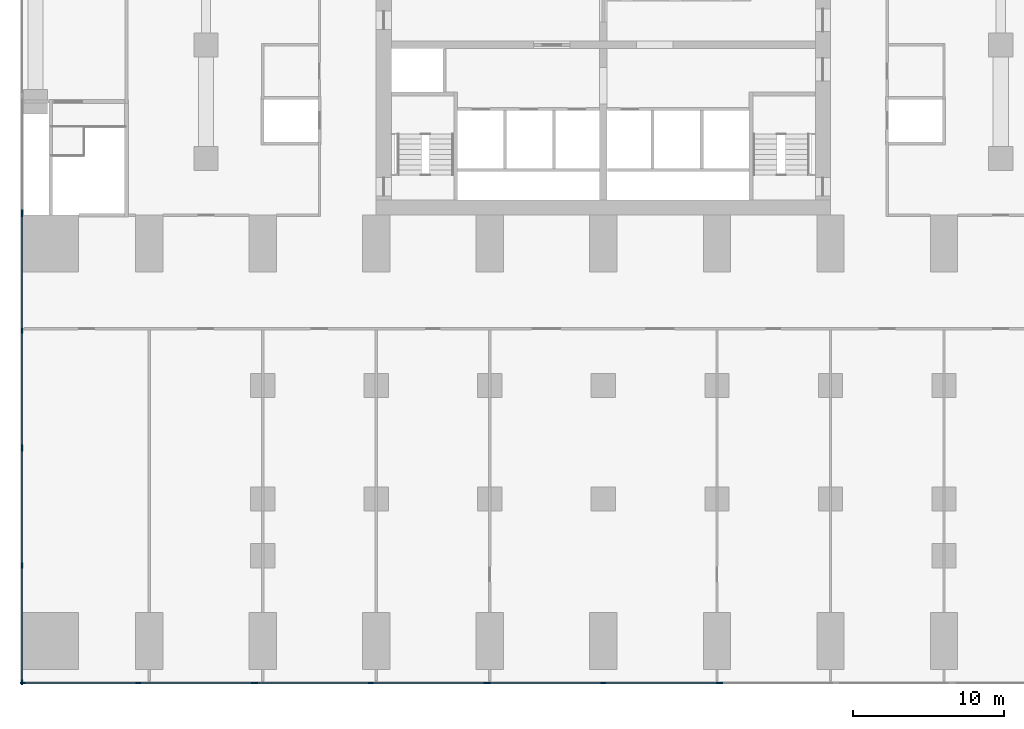
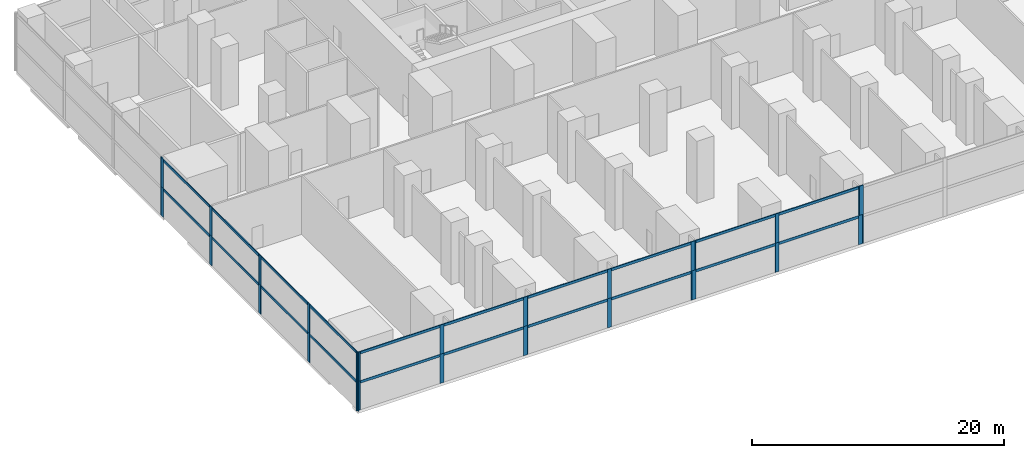
# One storey, part 2 of 14: 54 members, 14 elements without a shape of their own.
"""IFC4 building model written with IfcOpenShell, lengths in metres."""

from ifc_helpers import new_model, si_unit, direction, frame, origin, origin_2d, place, context, subcontext, project, spatial, rectangle, extrude, material, material_profile, profile_set, type_object, element, aggregate, save


model = new_model("IFC4")

# Units and contexts
model_context = context("Model", 3, precision=1e-05, world=origin(), true_north=direction((0.0, 1.0)))
body_context = subcontext(model_context, "Body", "Model", "MODEL_VIEW")
ifc_project = project(units=[si_unit("LENGTHUNIT", "METRE"), si_unit("AREAUNIT", "SQUARE_METRE"), si_unit("VOLUMEUNIT", "CUBIC_METRE"), si_unit("PLANEANGLEUNIT", "RADIAN"), si_unit("MASSUNIT", "GRAM", prefix="KILO")], contexts=[model_context])

# Site, building, storey
site_placement = place(None, origin())
site = spatial("IfcSite", under=ifc_project, at=site_placement, CompositionType="ELEMENT")
building_placement = place(site_placement, origin())
building = spatial("IfcBuilding", under=site, at=building_placement, Name="Pilkhan Gate Tower", CompositionType="ELEMENT")
storey_placement = place(building_placement, frame((0.0, 0.0, 24.0)))
storey = spatial("IfcBuildingStorey", under=building, at=storey_placement, Name="L03", CompositionType="ELEMENT", Elevation=24.0)

# Curtain wall, members
ifc_material_1 = material(Name="Pale anodised aluminium, clear low-iron laminated glazing", Category="aluminium")
curtain_wall_type = type_object("IfcCurtainWallType", Name="Podium unitised curtain wall CW-P", PredefinedType="USERDEFINED", material=ifc_material_1)
curtain_wall_1_placement = place(storey_placement, origin())
curtain_wall_1 = element("IfcCurtainWall", 1, at=curtain_wall_1_placement, inside=storey, type_object=curtain_wall_type, Name="Podium unitised curtain wall CW-P L03 W", ObjectType="UNITISED CURTAIN WALL", PredefinedType="USERDEFINED")
ifc_material_2 = material(Name="Pale anodised aluminium", Category="aluminium")
ifc_material_profile_1 = material_profile(ifc_material_2, rectangle(XDim=0.080078125, YDim=0.35009765625, at=origin_2d()), Name="Mullion 350x80")
ifc_profile_set_1 = profile_set([ifc_material_profile_1], Name="Pale anodised aluminium")
member_type_1 = type_object("IfcMemberType", Name="Mullion CW-P 350x80", PredefinedType="MULLION", material=ifc_profile_set_1)
member_1_placement = place(storey_placement, frame((36.60498046875, 40.39501953125, 0.0), z_axis=(0.0, 0.0, 1.0), x_axis=(-1.0, 0.0, 0.0)))
member_1 = element("IfcMember", 2, at=member_1_placement, type_object=member_type_1, Name="CW-P mullion 1", PredefinedType="MULLION", context=body_context, shape_type="SweptSolid", body=[
    extrude(rectangle(XDim=0.080078125, YDim=0.35009765625, at=origin_2d()), origin(), (0.0, 0.0, 1.0), 2.824951171875),
])
member_2_placement = place(storey_placement, frame((36.60498046875, 48.110595703125, 0.0), z_axis=(0.0, 0.0, 1.0), x_axis=(-1.0, 0.0, 0.0)))
member_2 = element("IfcMember", 3, at=member_2_placement, type_object=member_type_1, Name="CW-P mullion 2", PredefinedType="MULLION", context=body_context, shape_type="SweptSolid", body=[
    extrude(rectangle(XDim=0.080078125, YDim=0.35009765625, at=origin_2d()), origin(), (0.0, 0.0, 1.0), 2.824951171875),
])
member_3_placement = place(storey_placement, frame((36.60498046875, 55.826416015625, 0.0), z_axis=(0.0, 0.0, 1.0), x_axis=(-1.0, 0.0, 0.0)))
member_3 = element("IfcMember", 4, at=member_3_placement, type_object=member_type_1, Name="CW-P mullion 3", PredefinedType="MULLION", context=body_context, shape_type="SweptSolid", body=[
    extrude(rectangle(XDim=0.080078125, YDim=0.35009765625, at=origin_2d()), origin(), (0.0, 0.0, 1.0), 2.824951171875),
])

curtain_wall_2_placement = place(storey_placement, origin())
curtain_wall_2 = element("IfcCurtainWall", 5, at=curtain_wall_2_placement, inside=storey, type_object=curtain_wall_type, Name="Podium unitised curtain wall CW-P L03 W", ObjectType="UNITISED CURTAIN WALL", PredefinedType="USERDEFINED")
member_4_placement = place(storey_placement, frame((36.60498046875, 55.906494140625, 0.0), z_axis=(0.0, 0.0, 1.0), x_axis=(-1.0, 0.0, 0.0)))
member_4 = element("IfcMember", 6, at=member_4_placement, type_object=member_type_1, Name="CW-P mullion 1", PredefinedType="MULLION", context=body_context, shape_type="SweptSolid", body=[
    extrude(rectangle(XDim=0.080078125, YDim=0.35009765625, at=origin_2d()), origin(), (0.0, 0.0, 1.0), 2.824951171875),
])
member_5_placement = place(storey_placement, frame((36.60498046875, 63.6220703125, 0.0), z_axis=(0.0, 0.0, 1.0), x_axis=(-1.0, 0.0, 0.0)))
member_5 = element("IfcMember", 7, at=member_5_placement, type_object=member_type_1, Name="CW-P mullion 2", PredefinedType="MULLION", context=body_context, shape_type="SweptSolid", body=[
    extrude(rectangle(XDim=0.080078125, YDim=0.35009765625, at=origin_2d()), origin(), (0.0, 0.0, 1.0), 2.824951171875),
])
member_6_placement = place(storey_placement, frame((36.60498046875, 71.337890625, 0.0), z_axis=(0.0, 0.0, 1.0), x_axis=(-1.0, 0.0, 0.0)))
member_6 = element("IfcMember", 8, at=member_6_placement, type_object=member_type_1, Name="CW-P mullion 3", PredefinedType="MULLION", context=body_context, shape_type="SweptSolid", body=[
    extrude(rectangle(XDim=0.080078125, YDim=0.35009765625, at=origin_2d()), origin(), (0.0, 0.0, 1.0), 2.824951171875),
])

# Curtain wall, member
curtain_wall_3_placement = place(storey_placement, origin())
curtain_wall_3 = element("IfcCurtainWall", 9, at=curtain_wall_3_placement, inside=storey, type_object=curtain_wall_type, Name="Podium unitised curtain wall CW-P L03 W", ObjectType="UNITISED CURTAIN WALL", PredefinedType="USERDEFINED")
member_7_placement = place(storey_placement, frame((36.60498046875, 71.41796875, 0.0), z_axis=(0.0, 0.0, 1.0), x_axis=(-1.0, 0.0, 0.0)))
member_7 = element("IfcMember", 10, at=member_7_placement, type_object=member_type_1, Name="CW-P mullion 1", PredefinedType="MULLION", context=body_context, shape_type="SweptSolid", body=[
    extrude(rectangle(XDim=0.080078125, YDim=0.35009765625, at=origin_2d()), origin(), (0.0, 0.0, 1.0), 2.824951171875),
])
aggregate(curtain_wall_3, [member_7])

# Curtain wall, members
curtain_wall_4_placement = place(storey_placement, origin())
curtain_wall_4 = element("IfcCurtainWall", 11, at=curtain_wall_4_placement, inside=storey, type_object=curtain_wall_type, Name="Podium unitised curtain wall CW-P L03 W", ObjectType="UNITISED CURTAIN WALL", PredefinedType="USERDEFINED")
member_8_placement = place(storey_placement, frame((36.60498046875, 40.39501953125, 2.824951171875), z_axis=(0.0, 0.0, 1.0), x_axis=(-1.0, 0.0, 0.0)))
member_8 = element("IfcMember", 12, at=member_8_placement, type_object=member_type_1, Name="CW-P mullion 1", PredefinedType="MULLION", context=body_context, shape_type="SweptSolid", body=[
    extrude(rectangle(XDim=0.080078125, YDim=0.35009765625, at=origin_2d()), origin(), (0.0, 0.0, 1.0), 2.824951171875),
])
member_9_placement = place(storey_placement, frame((36.60498046875, 48.110595703125, 2.824951171875), z_axis=(0.0, 0.0, 1.0), x_axis=(-1.0, 0.0, 0.0)))
member_9 = element("IfcMember", 13, at=member_9_placement, type_object=member_type_1, Name="CW-P mullion 2", PredefinedType="MULLION", context=body_context, shape_type="SweptSolid", body=[
    extrude(rectangle(XDim=0.080078125, YDim=0.35009765625, at=origin_2d()), origin(), (0.0, 0.0, 1.0), 2.824951171875),
])
member_10_placement = place(storey_placement, frame((36.60498046875, 55.826416015625, 2.824951171875), z_axis=(0.0, 0.0, 1.0), x_axis=(-1.0, 0.0, 0.0)))
member_10 = element("IfcMember", 14, at=member_10_placement, type_object=member_type_1, Name="CW-P mullion 3", PredefinedType="MULLION", context=body_context, shape_type="SweptSolid", body=[
    extrude(rectangle(XDim=0.080078125, YDim=0.35009765625, at=origin_2d()), origin(), (0.0, 0.0, 1.0), 2.824951171875),
])

curtain_wall_5_placement = place(storey_placement, origin())
curtain_wall_5 = element("IfcCurtainWall", 15, at=curtain_wall_5_placement, inside=storey, type_object=curtain_wall_type, Name="Podium unitised curtain wall CW-P L03 W", ObjectType="UNITISED CURTAIN WALL", PredefinedType="USERDEFINED")
member_11_placement = place(storey_placement, frame((36.60498046875, 55.906494140625, 2.824951171875), z_axis=(0.0, 0.0, 1.0), x_axis=(-1.0, 0.0, 0.0)))
member_11 = element("IfcMember", 16, at=member_11_placement, type_object=member_type_1, Name="CW-P mullion 1", PredefinedType="MULLION", context=body_context, shape_type="SweptSolid", body=[
    extrude(rectangle(XDim=0.080078125, YDim=0.35009765625, at=origin_2d()), origin(), (0.0, 0.0, 1.0), 2.824951171875),
])
member_12_placement = place(storey_placement, frame((36.60498046875, 63.6220703125, 2.824951171875), z_axis=(0.0, 0.0, 1.0), x_axis=(-1.0, 0.0, 0.0)))
member_12 = element("IfcMember", 17, at=member_12_placement, type_object=member_type_1, Name="CW-P mullion 2", PredefinedType="MULLION", context=body_context, shape_type="SweptSolid", body=[
    extrude(rectangle(XDim=0.080078125, YDim=0.35009765625, at=origin_2d()), origin(), (0.0, 0.0, 1.0), 2.824951171875),
])
member_13_placement = place(storey_placement, frame((36.60498046875, 71.337890625, 2.824951171875), z_axis=(0.0, 0.0, 1.0), x_axis=(-1.0, 0.0, 0.0)))
member_13 = element("IfcMember", 18, at=member_13_placement, type_object=member_type_1, Name="CW-P mullion 3", PredefinedType="MULLION", context=body_context, shape_type="SweptSolid", body=[
    extrude(rectangle(XDim=0.080078125, YDim=0.35009765625, at=origin_2d()), origin(), (0.0, 0.0, 1.0), 2.824951171875),
])

# Curtain wall, member
curtain_wall_6_placement = place(storey_placement, origin())
curtain_wall_6 = element("IfcCurtainWall", 19, at=curtain_wall_6_placement, inside=storey, type_object=curtain_wall_type, Name="Podium unitised curtain wall CW-P L03 W", ObjectType="UNITISED CURTAIN WALL", PredefinedType="USERDEFINED")
member_14_placement = place(storey_placement, frame((36.60498046875, 71.41796875, 2.824951171875), z_axis=(0.0, 0.0, 1.0), x_axis=(-1.0, 0.0, 0.0)))
member_14 = element("IfcMember", 20, at=member_14_placement, type_object=member_type_1, Name="CW-P mullion 1", PredefinedType="MULLION", context=body_context, shape_type="SweptSolid", body=[
    extrude(rectangle(XDim=0.080078125, YDim=0.35009765625, at=origin_2d()), origin(), (0.0, 0.0, 1.0), 2.824951171875),
])
aggregate(curtain_wall_6, [member_14])

# Curtain wall, members
curtain_wall_7_placement = place(storey_placement, origin())
curtain_wall_7 = element("IfcCurtainWall", 21, at=curtain_wall_7_placement, inside=storey, type_object=curtain_wall_type, Name="Podium unitised curtain wall CW-P L03 S", ObjectType="UNITISED CURTAIN WALL", PredefinedType="USERDEFINED")
member_15_placement = place(storey_placement, frame((36.64501953125, 40.35498046875, 0.0), z_axis=(0.0, 0.0, 1.0), x_axis=(0.0, 1.0, 0.0)))
member_15 = element("IfcMember", 22, at=member_15_placement, type_object=member_type_1, Name="CW-P mullion 1", PredefinedType="MULLION", context=body_context, shape_type="SweptSolid", body=[
    extrude(rectangle(XDim=0.080078125, YDim=0.35009765625, at=origin_2d()), origin(), (0.0, 0.0, 1.0), 2.824951171875),
])
member_16_placement = place(storey_placement, frame((44.283935546875, 40.35498046875, 0.0), z_axis=(0.0, 0.0, 1.0), x_axis=(0.0, 1.0, 0.0)))
member_16 = element("IfcMember", 23, at=member_16_placement, type_object=member_type_1, Name="CW-P mullion 2", PredefinedType="MULLION", context=body_context, shape_type="SweptSolid", body=[
    extrude(rectangle(XDim=0.080078125, YDim=0.35009765625, at=origin_2d()), origin(), (0.0, 0.0, 1.0), 2.824951171875),
])
member_17_placement = place(storey_placement, frame((51.923095703125, 40.35498046875, 0.0), z_axis=(0.0, 0.0, 1.0), x_axis=(0.0, 1.0, 0.0)))
member_17 = element("IfcMember", 24, at=member_17_placement, type_object=member_type_1, Name="CW-P mullion 3", PredefinedType="MULLION", context=body_context, shape_type="SweptSolid", body=[
    extrude(rectangle(XDim=0.080078125, YDim=0.35009765625, at=origin_2d()), origin(), (0.0, 0.0, 1.0), 2.824951171875),
])

curtain_wall_8_placement = place(storey_placement, origin())
curtain_wall_8 = element("IfcCurtainWall", 25, at=curtain_wall_8_placement, inside=storey, type_object=curtain_wall_type, Name="Podium unitised curtain wall CW-P L03 S", ObjectType="UNITISED CURTAIN WALL", PredefinedType="USERDEFINED")
member_18_placement = place(storey_placement, frame((52.0029296875, 40.35498046875, 0.0), z_axis=(0.0, 0.0, 1.0), x_axis=(0.0, 1.0, 0.0)))
member_18 = element("IfcMember", 26, at=member_18_placement, type_object=member_type_1, Name="CW-P mullion 1", PredefinedType="MULLION", context=body_context, shape_type="SweptSolid", body=[
    extrude(rectangle(XDim=0.080078125, YDim=0.35009765625, at=origin_2d()), origin(), (0.0, 0.0, 1.0), 2.824951171875),
])
member_19_placement = place(storey_placement, frame((59.64208984375, 40.35498046875, 0.0), z_axis=(0.0, 0.0, 1.0), x_axis=(0.0, 1.0, 0.0)))
member_19 = element("IfcMember", 27, at=member_19_placement, type_object=member_type_1, Name="CW-P mullion 2", PredefinedType="MULLION", context=body_context, shape_type="SweptSolid", body=[
    extrude(rectangle(XDim=0.080078125, YDim=0.35009765625, at=origin_2d()), origin(), (0.0, 0.0, 1.0), 2.824951171875),
])
member_20_placement = place(storey_placement, frame((67.281005859375, 40.35498046875, 0.0), z_axis=(0.0, 0.0, 1.0), x_axis=(0.0, 1.0, 0.0)))
member_20 = element("IfcMember", 28, at=member_20_placement, type_object=member_type_1, Name="CW-P mullion 3", PredefinedType="MULLION", context=body_context, shape_type="SweptSolid", body=[
    extrude(rectangle(XDim=0.080078125, YDim=0.35009765625, at=origin_2d()), origin(), (0.0, 0.0, 1.0), 2.824951171875),
])

curtain_wall_9_placement = place(storey_placement, origin())
curtain_wall_9 = element("IfcCurtainWall", 29, at=curtain_wall_9_placement, inside=storey, type_object=curtain_wall_type, Name="Podium unitised curtain wall CW-P L03 S", ObjectType="UNITISED CURTAIN WALL", PredefinedType="USERDEFINED")
member_21_placement = place(storey_placement, frame((67.361083984375, 40.35498046875, 0.0), z_axis=(0.0, 0.0, 1.0), x_axis=(0.0, 1.0, 0.0)))
member_21 = element("IfcMember", 30, at=member_21_placement, type_object=member_type_1, Name="CW-P mullion 1", PredefinedType="MULLION", context=body_context, shape_type="SweptSolid", body=[
    extrude(rectangle(XDim=0.080078125, YDim=0.35009765625, at=origin_2d()), origin(), (0.0, 0.0, 1.0), 2.824951171875),
])
member_22_placement = place(storey_placement, frame((75.0, 40.35498046875, 0.0), z_axis=(0.0, 0.0, 1.0), x_axis=(0.0, 1.0, 0.0)))
member_22 = element("IfcMember", 31, at=member_22_placement, type_object=member_type_1, Name="CW-P mullion 2", PredefinedType="MULLION", context=body_context, shape_type="SweptSolid", body=[
    extrude(rectangle(XDim=0.080078125, YDim=0.35009765625, at=origin_2d()), origin(), (0.0, 0.0, 1.0), 2.824951171875),
])
member_23_placement = place(storey_placement, frame((82.638916015625, 40.35498046875, 0.0), z_axis=(0.0, 0.0, 1.0), x_axis=(0.0, 1.0, 0.0)))
member_23 = element("IfcMember", 32, at=member_23_placement, type_object=member_type_1, Name="CW-P mullion 3", PredefinedType="MULLION", context=body_context, shape_type="SweptSolid", body=[
    extrude(rectangle(XDim=0.080078125, YDim=0.35009765625, at=origin_2d()), origin(), (0.0, 0.0, 1.0), 2.824951171875),
])

# Curtain wall, member
curtain_wall_10_placement = place(storey_placement, origin())
curtain_wall_10 = element("IfcCurtainWall", 33, at=curtain_wall_10_placement, inside=storey, type_object=curtain_wall_type, Name="Podium unitised curtain wall CW-P L03 S", ObjectType="UNITISED CURTAIN WALL", PredefinedType="USERDEFINED")
member_24_placement = place(storey_placement, frame((82.718994140625, 40.35498046875, 0.0), z_axis=(0.0, 0.0, 1.0), x_axis=(0.0, 1.0, 0.0)))
member_24 = element("IfcMember", 34, at=member_24_placement, type_object=member_type_1, Name="CW-P mullion 1", PredefinedType="MULLION", context=body_context, shape_type="SweptSolid", body=[
    extrude(rectangle(XDim=0.080078125, YDim=0.35009765625, at=origin_2d()), origin(), (0.0, 0.0, 1.0), 2.824951171875),
])
aggregate(curtain_wall_10, [member_24])

# Curtain wall, members
curtain_wall_11_placement = place(storey_placement, origin())
curtain_wall_11 = element("IfcCurtainWall", 35, at=curtain_wall_11_placement, inside=storey, type_object=curtain_wall_type, Name="Podium unitised curtain wall CW-P L03 S", ObjectType="UNITISED CURTAIN WALL", PredefinedType="USERDEFINED")
member_25_placement = place(storey_placement, frame((36.64501953125, 40.35498046875, 2.824951171875), z_axis=(0.0, 0.0, 1.0), x_axis=(0.0, 1.0, 0.0)))
member_25 = element("IfcMember", 36, at=member_25_placement, type_object=member_type_1, Name="CW-P mullion 1", PredefinedType="MULLION", context=body_context, shape_type="SweptSolid", body=[
    extrude(rectangle(XDim=0.080078125, YDim=0.35009765625, at=origin_2d()), origin(), (0.0, 0.0, 1.0), 2.824951171875),
])
member_26_placement = place(storey_placement, frame((44.283935546875, 40.35498046875, 2.824951171875), z_axis=(0.0, 0.0, 1.0), x_axis=(0.0, 1.0, 0.0)))
member_26 = element("IfcMember", 37, at=member_26_placement, type_object=member_type_1, Name="CW-P mullion 2", PredefinedType="MULLION", context=body_context, shape_type="SweptSolid", body=[
    extrude(rectangle(XDim=0.080078125, YDim=0.35009765625, at=origin_2d()), origin(), (0.0, 0.0, 1.0), 2.824951171875),
])
member_27_placement = place(storey_placement, frame((51.923095703125, 40.35498046875, 2.824951171875), z_axis=(0.0, 0.0, 1.0), x_axis=(0.0, 1.0, 0.0)))
member_27 = element("IfcMember", 38, at=member_27_placement, type_object=member_type_1, Name="CW-P mullion 3", PredefinedType="MULLION", context=body_context, shape_type="SweptSolid", body=[
    extrude(rectangle(XDim=0.080078125, YDim=0.35009765625, at=origin_2d()), origin(), (0.0, 0.0, 1.0), 2.824951171875),
])

curtain_wall_12_placement = place(storey_placement, origin())
curtain_wall_12 = element("IfcCurtainWall", 39, at=curtain_wall_12_placement, inside=storey, type_object=curtain_wall_type, Name="Podium unitised curtain wall CW-P L03 S", ObjectType="UNITISED CURTAIN WALL", PredefinedType="USERDEFINED")
member_28_placement = place(storey_placement, frame((52.0029296875, 40.35498046875, 2.824951171875), z_axis=(0.0, 0.0, 1.0), x_axis=(0.0, 1.0, 0.0)))
member_28 = element("IfcMember", 40, at=member_28_placement, type_object=member_type_1, Name="CW-P mullion 1", PredefinedType="MULLION", context=body_context, shape_type="SweptSolid", body=[
    extrude(rectangle(XDim=0.080078125, YDim=0.35009765625, at=origin_2d()), origin(), (0.0, 0.0, 1.0), 2.824951171875),
])
member_29_placement = place(storey_placement, frame((59.64208984375, 40.35498046875, 2.824951171875), z_axis=(0.0, 0.0, 1.0), x_axis=(0.0, 1.0, 0.0)))
member_29 = element("IfcMember", 41, at=member_29_placement, type_object=member_type_1, Name="CW-P mullion 2", PredefinedType="MULLION", context=body_context, shape_type="SweptSolid", body=[
    extrude(rectangle(XDim=0.080078125, YDim=0.35009765625, at=origin_2d()), origin(), (0.0, 0.0, 1.0), 2.824951171875),
])
member_30_placement = place(storey_placement, frame((67.281005859375, 40.35498046875, 2.824951171875), z_axis=(0.0, 0.0, 1.0), x_axis=(0.0, 1.0, 0.0)))
member_30 = element("IfcMember", 42, at=member_30_placement, type_object=member_type_1, Name="CW-P mullion 3", PredefinedType="MULLION", context=body_context, shape_type="SweptSolid", body=[
    extrude(rectangle(XDim=0.080078125, YDim=0.35009765625, at=origin_2d()), origin(), (0.0, 0.0, 1.0), 2.824951171875),
])

curtain_wall_13_placement = place(storey_placement, origin())
curtain_wall_13 = element("IfcCurtainWall", 43, at=curtain_wall_13_placement, inside=storey, type_object=curtain_wall_type, Name="Podium unitised curtain wall CW-P L03 S", ObjectType="UNITISED CURTAIN WALL", PredefinedType="USERDEFINED")
member_31_placement = place(storey_placement, frame((67.361083984375, 40.35498046875, 2.824951171875), z_axis=(0.0, 0.0, 1.0), x_axis=(0.0, 1.0, 0.0)))
member_31 = element("IfcMember", 44, at=member_31_placement, type_object=member_type_1, Name="CW-P mullion 1", PredefinedType="MULLION", context=body_context, shape_type="SweptSolid", body=[
    extrude(rectangle(XDim=0.080078125, YDim=0.35009765625, at=origin_2d()), origin(), (0.0, 0.0, 1.0), 2.824951171875),
])
member_32_placement = place(storey_placement, frame((75.0, 40.35498046875, 2.824951171875), z_axis=(0.0, 0.0, 1.0), x_axis=(0.0, 1.0, 0.0)))
member_32 = element("IfcMember", 45, at=member_32_placement, type_object=member_type_1, Name="CW-P mullion 2", PredefinedType="MULLION", context=body_context, shape_type="SweptSolid", body=[
    extrude(rectangle(XDim=0.080078125, YDim=0.35009765625, at=origin_2d()), origin(), (0.0, 0.0, 1.0), 2.824951171875),
])
member_33_placement = place(storey_placement, frame((82.638916015625, 40.35498046875, 2.824951171875), z_axis=(0.0, 0.0, 1.0), x_axis=(0.0, 1.0, 0.0)))
member_33 = element("IfcMember", 46, at=member_33_placement, type_object=member_type_1, Name="CW-P mullion 3", PredefinedType="MULLION", context=body_context, shape_type="SweptSolid", body=[
    extrude(rectangle(XDim=0.080078125, YDim=0.35009765625, at=origin_2d()), origin(), (0.0, 0.0, 1.0), 2.824951171875),
])

# Curtain wall, member
curtain_wall_14_placement = place(storey_placement, origin())
curtain_wall_14 = element("IfcCurtainWall", 47, at=curtain_wall_14_placement, inside=storey, type_object=curtain_wall_type, Name="Podium unitised curtain wall CW-P L03 S", ObjectType="UNITISED CURTAIN WALL", PredefinedType="USERDEFINED")
member_34_placement = place(storey_placement, frame((82.718994140625, 40.35498046875, 2.824951171875), z_axis=(0.0, 0.0, 1.0), x_axis=(0.0, 1.0, 0.0)))
member_34 = element("IfcMember", 48, at=member_34_placement, type_object=member_type_1, Name="CW-P mullion 1", PredefinedType="MULLION", context=body_context, shape_type="SweptSolid", body=[
    extrude(rectangle(XDim=0.080078125, YDim=0.35009765625, at=origin_2d()), origin(), (0.0, 0.0, 1.0), 2.824951171875),
])
aggregate(curtain_wall_14, [member_34])

# Member
ifc_material_profile_2 = material_profile(ifc_material_2, rectangle(XDim=0.080078125, YDim=0.25, at=origin_2d()), Name="Transom 250x80")
ifc_profile_set_2 = profile_set([ifc_material_profile_2], Name="Pale anodised aluminium")
member_type_2 = type_object("IfcMemberType", Name="Transom CW-P 250x80", PredefinedType="USERDEFINED", material=ifc_profile_set_2)
member_35_placement = place(storey_placement, frame((36.60498046875, 40.43505859375, 2.699951171875), z_axis=(0.0, 1.0, 0.0), x_axis=(-1.0, 0.0, 0.0)))
member_35 = element("IfcMember", 49, at=member_35_placement, type_object=member_type_2, Name="CW-P transom 1", ObjectType="TRANSOM", PredefinedType="USERDEFINED", context=body_context, shape_type="SweptSolid", body=[
    extrude(rectangle(XDim=0.080078125, YDim=0.25, at=origin_2d()), origin(), (0.0, 0.0, 1.0), 7.6357421875),
])

member_36_placement = place(storey_placement, frame((36.60498046875, 48.150634765625, 2.699951171875), z_axis=(0.0, 1.0, 0.0), x_axis=(-1.0, 0.0, 0.0)))
member_36 = element("IfcMember", 50, at=member_36_placement, type_object=member_type_2, Name="CW-P transom 2", ObjectType="TRANSOM", PredefinedType="USERDEFINED", context=body_context, shape_type="SweptSolid", body=[
    extrude(rectangle(XDim=0.080078125, YDim=0.25, at=origin_2d()), origin(), (0.0, 0.0, 1.0), 7.6357421875),
])

aggregate(curtain_wall_1, [member_1, member_2, member_3, member_35, member_36])

member_37_placement = place(storey_placement, frame((36.60498046875, 55.946533203125, 2.699951171875), z_axis=(0.0, 1.0, 0.0), x_axis=(-1.0, 0.0, 0.0)))
member_37 = element("IfcMember", 51, at=member_37_placement, type_object=member_type_2, Name="CW-P transom 1", ObjectType="TRANSOM", PredefinedType="USERDEFINED", context=body_context, shape_type="SweptSolid", body=[
    extrude(rectangle(XDim=0.080078125, YDim=0.25, at=origin_2d()), origin(), (0.0, 0.0, 1.0), 7.635498046875),
])

member_38_placement = place(storey_placement, frame((36.60498046875, 63.662109375, 2.699951171875), z_axis=(0.0, 1.0, 0.0), x_axis=(-1.0, 0.0, 0.0)))
member_38 = element("IfcMember", 52, at=member_38_placement, type_object=member_type_2, Name="CW-P transom 2", ObjectType="TRANSOM", PredefinedType="USERDEFINED", context=body_context, shape_type="SweptSolid", body=[
    extrude(rectangle(XDim=0.080078125, YDim=0.25, at=origin_2d()), origin(), (0.0, 0.0, 1.0), 7.6357421875),
])

aggregate(curtain_wall_2, [member_4, member_5, member_6, member_37, member_38])

member_39_placement = place(storey_placement, frame((36.60498046875, 40.43505859375, 5.52490234375), z_axis=(0.0, 1.0, 0.0), x_axis=(-1.0, 0.0, 0.0)))
member_39 = element("IfcMember", 53, at=member_39_placement, type_object=member_type_2, Name="CW-P transom 1", ObjectType="TRANSOM", PredefinedType="USERDEFINED", context=body_context, shape_type="SweptSolid", body=[
    extrude(rectangle(XDim=0.080078125, YDim=0.25, at=origin_2d()), origin(), (0.0, 0.0, 1.0), 7.6357421875),
])

member_40_placement = place(storey_placement, frame((36.60498046875, 48.150634765625, 5.52490234375), z_axis=(0.0, 1.0, 0.0), x_axis=(-1.0, 0.0, 0.0)))
member_40 = element("IfcMember", 54, at=member_40_placement, type_object=member_type_2, Name="CW-P transom 2", ObjectType="TRANSOM", PredefinedType="USERDEFINED", context=body_context, shape_type="SweptSolid", body=[
    extrude(rectangle(XDim=0.080078125, YDim=0.25, at=origin_2d()), origin(), (0.0, 0.0, 1.0), 7.6357421875),
])

aggregate(curtain_wall_4, [member_8, member_9, member_10, member_39, member_40])

member_41_placement = place(storey_placement, frame((36.60498046875, 55.946533203125, 5.52490234375), z_axis=(0.0, 1.0, 0.0), x_axis=(-1.0, 0.0, 0.0)))
member_41 = element("IfcMember", 55, at=member_41_placement, type_object=member_type_2, Name="CW-P transom 1", ObjectType="TRANSOM", PredefinedType="USERDEFINED", context=body_context, shape_type="SweptSolid", body=[
    extrude(rectangle(XDim=0.080078125, YDim=0.25, at=origin_2d()), origin(), (0.0, 0.0, 1.0), 7.635498046875),
])

member_42_placement = place(storey_placement, frame((36.60498046875, 63.662109375, 5.52490234375), z_axis=(0.0, 1.0, 0.0), x_axis=(-1.0, 0.0, 0.0)))
member_42 = element("IfcMember", 56, at=member_42_placement, type_object=member_type_2, Name="CW-P transom 2", ObjectType="TRANSOM", PredefinedType="USERDEFINED", context=body_context, shape_type="SweptSolid", body=[
    extrude(rectangle(XDim=0.080078125, YDim=0.25, at=origin_2d()), origin(), (0.0, 0.0, 1.0), 7.6357421875),
])

aggregate(curtain_wall_5, [member_11, member_12, member_13, member_41, member_42])

member_43_placement = place(storey_placement, frame((36.68505859375, 40.35498046875, 2.699951171875), z_axis=(1.0, 0.0, 0.0), x_axis=(0.0, 1.0, 0.0)))
member_43 = element("IfcMember", 57, at=member_43_placement, type_object=member_type_2, Name="CW-P transom 1", ObjectType="TRANSOM", PredefinedType="USERDEFINED", context=body_context, shape_type="SweptSolid", body=[
    extrude(rectangle(XDim=0.080078125, YDim=0.25, at=origin_2d()), origin(), (0.0, 0.0, 1.0), 7.558837890625),
])

member_44_placement = place(storey_placement, frame((44.323974609375, 40.35498046875, 2.699951171875), z_axis=(1.0, 0.0, 0.0), x_axis=(0.0, 1.0, 0.0)))
member_44 = element("IfcMember", 58, at=member_44_placement, type_object=member_type_2, Name="CW-P transom 2", ObjectType="TRANSOM", PredefinedType="USERDEFINED", context=body_context, shape_type="SweptSolid", body=[
    extrude(rectangle(XDim=0.080078125, YDim=0.25, at=origin_2d()), origin(), (0.0, 0.0, 1.0), 7.55908203125),
])

aggregate(curtain_wall_7, [member_15, member_16, member_17, member_43, member_44])

member_45_placement = place(storey_placement, frame((52.04296875, 40.35498046875, 2.699951171875), z_axis=(1.0, 0.0, 0.0), x_axis=(0.0, 1.0, 0.0)))
member_45 = element("IfcMember", 59, at=member_45_placement, type_object=member_type_2, Name="CW-P transom 1", ObjectType="TRANSOM", PredefinedType="USERDEFINED", context=body_context, shape_type="SweptSolid", body=[
    extrude(rectangle(XDim=0.080078125, YDim=0.25, at=origin_2d()), origin(), (0.0, 0.0, 1.0), 7.55908203125),
])

member_46_placement = place(storey_placement, frame((59.681884765625, 40.35498046875, 2.699951171875), z_axis=(1.0, 0.0, 0.0), x_axis=(0.0, 1.0, 0.0)))
member_46 = element("IfcMember", 60, at=member_46_placement, type_object=member_type_2, Name="CW-P transom 2", ObjectType="TRANSOM", PredefinedType="USERDEFINED", context=body_context, shape_type="SweptSolid", body=[
    extrude(rectangle(XDim=0.080078125, YDim=0.25, at=origin_2d()), origin(), (0.0, 0.0, 1.0), 7.55908203125),
])

aggregate(curtain_wall_8, [member_18, member_19, member_20, member_45, member_46])

member_47_placement = place(storey_placement, frame((67.40087890625, 40.35498046875, 2.699951171875), z_axis=(1.0, 0.0, 0.0), x_axis=(0.0, 1.0, 0.0)))
member_47 = element("IfcMember", 61, at=member_47_placement, type_object=member_type_2, Name="CW-P transom 1", ObjectType="TRANSOM", PredefinedType="USERDEFINED", context=body_context, shape_type="SweptSolid", body=[
    extrude(rectangle(XDim=0.080078125, YDim=0.25, at=origin_2d()), origin(), (0.0, 0.0, 1.0), 7.55908203125),
])

member_48_placement = place(storey_placement, frame((75.0400390625, 40.35498046875, 2.699951171875), z_axis=(1.0, 0.0, 0.0), x_axis=(0.0, 1.0, 0.0)))
member_48 = element("IfcMember", 62, at=member_48_placement, type_object=member_type_2, Name="CW-P transom 2", ObjectType="TRANSOM", PredefinedType="USERDEFINED", context=body_context, shape_type="SweptSolid", body=[
    extrude(rectangle(XDim=0.080078125, YDim=0.25, at=origin_2d()), origin(), (0.0, 0.0, 1.0), 7.55908203125),
])

aggregate(curtain_wall_9, [member_21, member_22, member_23, member_47, member_48])

member_49_placement = place(storey_placement, frame((36.68505859375, 40.35498046875, 5.52490234375), z_axis=(1.0, 0.0, 0.0), x_axis=(0.0, 1.0, 0.0)))
member_49 = element("IfcMember", 63, at=member_49_placement, type_object=member_type_2, Name="CW-P transom 1", ObjectType="TRANSOM", PredefinedType="USERDEFINED", context=body_context, shape_type="SweptSolid", body=[
    extrude(rectangle(XDim=0.080078125, YDim=0.25, at=origin_2d()), origin(), (0.0, 0.0, 1.0), 7.558837890625),
])

member_50_placement = place(storey_placement, frame((44.323974609375, 40.35498046875, 5.52490234375), z_axis=(1.0, 0.0, 0.0), x_axis=(0.0, 1.0, 0.0)))
member_50 = element("IfcMember", 64, at=member_50_placement, type_object=member_type_2, Name="CW-P transom 2", ObjectType="TRANSOM", PredefinedType="USERDEFINED", context=body_context, shape_type="SweptSolid", body=[
    extrude(rectangle(XDim=0.080078125, YDim=0.25, at=origin_2d()), origin(), (0.0, 0.0, 1.0), 7.55908203125),
])

aggregate(curtain_wall_11, [member_25, member_26, member_27, member_49, member_50])

member_51_placement = place(storey_placement, frame((52.04296875, 40.35498046875, 5.52490234375), z_axis=(1.0, 0.0, 0.0), x_axis=(0.0, 1.0, 0.0)))
member_51 = element("IfcMember", 65, at=member_51_placement, type_object=member_type_2, Name="CW-P transom 1", ObjectType="TRANSOM", PredefinedType="USERDEFINED", context=body_context, shape_type="SweptSolid", body=[
    extrude(rectangle(XDim=0.080078125, YDim=0.25, at=origin_2d()), origin(), (0.0, 0.0, 1.0), 7.55908203125),
])

member_52_placement = place(storey_placement, frame((59.681884765625, 40.35498046875, 5.52490234375), z_axis=(1.0, 0.0, 0.0), x_axis=(0.0, 1.0, 0.0)))
member_52 = element("IfcMember", 66, at=member_52_placement, type_object=member_type_2, Name="CW-P transom 2", ObjectType="TRANSOM", PredefinedType="USERDEFINED", context=body_context, shape_type="SweptSolid", body=[
    extrude(rectangle(XDim=0.080078125, YDim=0.25, at=origin_2d()), origin(), (0.0, 0.0, 1.0), 7.55908203125),
])

aggregate(curtain_wall_12, [member_28, member_29, member_30, member_51, member_52])

member_53_placement = place(storey_placement, frame((67.40087890625, 40.35498046875, 5.52490234375), z_axis=(1.0, 0.0, 0.0), x_axis=(0.0, 1.0, 0.0)))
member_53 = element("IfcMember", 67, at=member_53_placement, type_object=member_type_2, Name="CW-P transom 1", ObjectType="TRANSOM", PredefinedType="USERDEFINED", context=body_context, shape_type="SweptSolid", body=[
    extrude(rectangle(XDim=0.080078125, YDim=0.25, at=origin_2d()), origin(), (0.0, 0.0, 1.0), 7.55908203125),
])

member_54_placement = place(storey_placement, frame((75.0400390625, 40.35498046875, 5.52490234375), z_axis=(1.0, 0.0, 0.0), x_axis=(0.0, 1.0, 0.0)))
member_54 = element("IfcMember", 68, at=member_54_placement, type_object=member_type_2, Name="CW-P transom 2", ObjectType="TRANSOM", PredefinedType="USERDEFINED", context=body_context, shape_type="SweptSolid", body=[
    extrude(rectangle(XDim=0.080078125, YDim=0.25, at=origin_2d()), origin(), (0.0, 0.0, 1.0), 7.55908203125),
])

aggregate(curtain_wall_13, [member_31, member_32, member_33, member_53, member_54])

save(model, "model.ifc")
